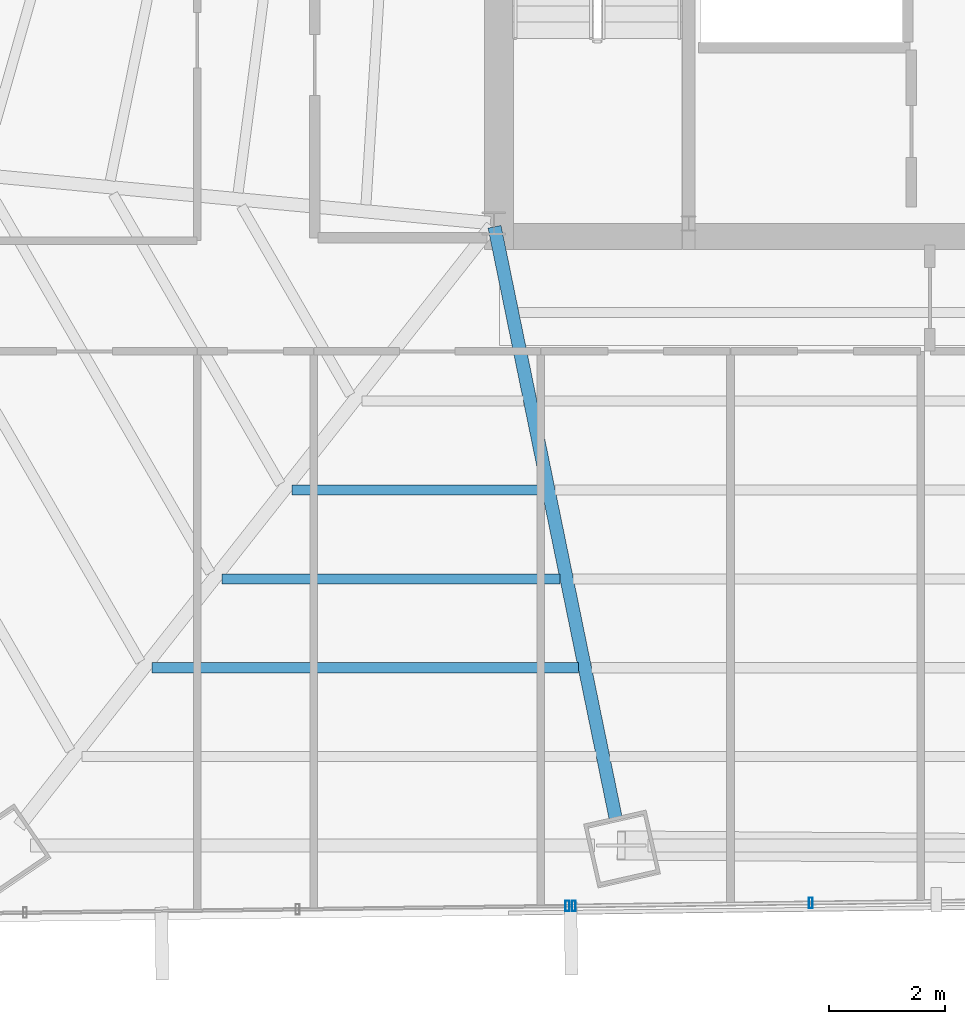
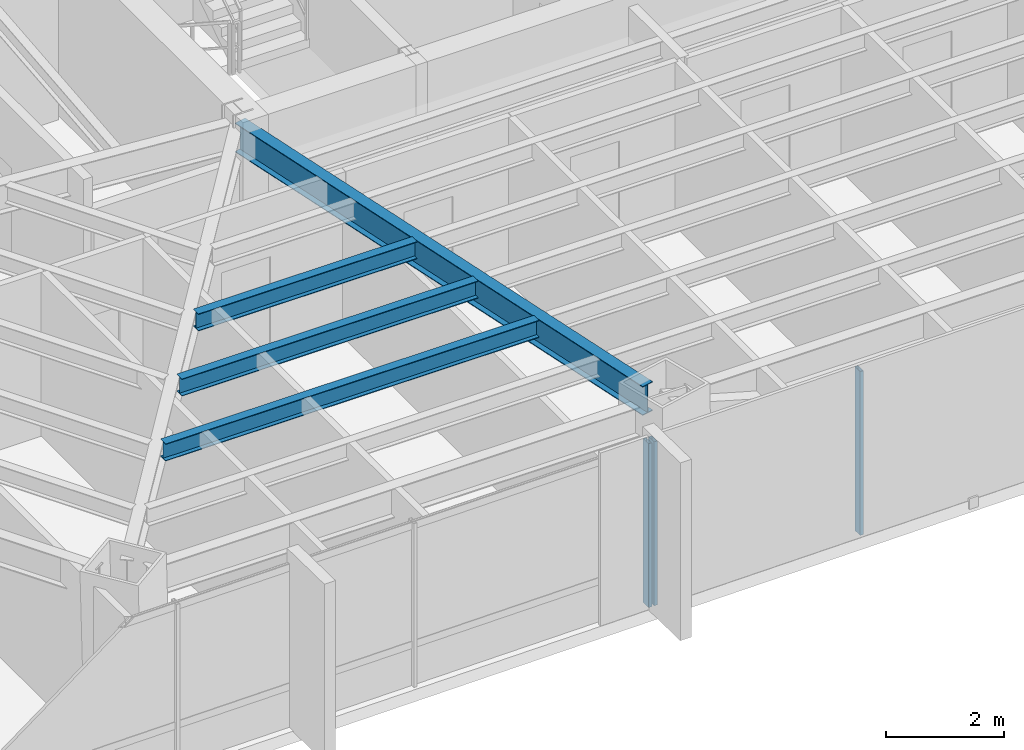
# One storey, part 9 of 37: 4 beams, 3 members, 2 elements without a shape of their own.
"""IFC4 building model written with IfcOpenShell, lengths in metres."""

from ifc_helpers import new_model, si_unit, direction, frame, origin, origin_2d, place, context, subcontext, project, spatial, hollow_rectangle, i_section, extrude, source, transform, mapped, material, material_profile, profile_set, type_object, type_shapes, element, aggregate, save


model = new_model("IFC4")

# Units and contexts
model_context = context("Model", 3, precision=1e-05, world=origin(), true_north=direction((0.0, 1.0)))
body_context = subcontext(model_context, "Body", "Model", "MODEL_VIEW")
ifc_project = project(units=[si_unit("LENGTHUNIT", "METRE"), si_unit("AREAUNIT", "SQUARE_METRE"), si_unit("VOLUMEUNIT", "CUBIC_METRE"), si_unit("PLANEANGLEUNIT", "RADIAN"), si_unit("MASSUNIT", "GRAM", prefix="KILO")], contexts=[model_context])

# Site, building, storey
site_placement = place(None, origin())
site = spatial("IfcSite", under=ifc_project, at=site_placement, CompositionType="ELEMENT")
building_placement = place(site_placement, origin())
building = spatial("IfcBuilding", under=site, at=building_placement, Name="Caelisora Broadcast Tower", CompositionType="ELEMENT")
storey_placement = place(building_placement, frame((0.0, 0.0, 120.0)))
storey = spatial("IfcBuildingStorey", under=building, at=storey_placement, Name="L31", CompositionType="ELEMENT", Elevation=120.0)

# Beams
ifc_material_1 = material(Name="Steel Grade 350 (AS/NZS 3679.1)", Category="steel")
ifc_material_profile_1 = material_profile(ifc_material_1, i_section(OverallWidth=0.22802734375, OverallDepth=0.602294921875, WebThickness=0.010498046875, FlangeThickness=0.014892578125, at=origin_2d()), Name="Steel Grade 350 (AS/NZS 3679.1)")
ifc_profile_set_1 = profile_set([ifc_material_profile_1], Name="Steel Grade 350 (AS/NZS 3679.1)")
beam_type_1 = type_object("IfcBeamType", Name="PG04", PredefinedType="BEAM", material=ifc_profile_set_1)
shared_shape_1 = source(origin(), body_context, "Body", "SweptSolid", [
    extrude(i_section(OverallWidth=0.22802734375, OverallDepth=0.602294921875, WebThickness=0.010498046875, FlangeThickness=0.014892578125, at=origin_2d()), origin(), (0.0, 0.0, 1.0), 10.439697265625),
])
type_shapes(beam_type_1, [shared_shape_1])
beam_1_placement = place(storey_placement, frame((30.511962890625, 17.34130859375, 3.098876953125), z_axis=(0.200674261531, -0.979658022352, 0.0), x_axis=(0.979658022352, 0.200674261531, 0.0)))
element("IfcBeam", 1, at=beam_1_placement, inside=storey, type_object=beam_type_1, Name="L31 beam PG04", PredefinedType="BEAM", context=body_context, shape_type="MappedRepresentation", body=[
    mapped(shared_shape_1, transform((0.0, 0.0, 0.0), scale=1.0)),
])
ifc_material_profile_2 = material_profile(ifc_material_1, i_section(OverallWidth=0.172119140625, OverallDepth=0.358642578125, WebThickness=0.008056640625, FlangeThickness=0.012939453125, at=origin_2d()), Name="Steel Grade 350 (AS/NZS 3679.1)")
ifc_profile_set_2 = profile_set([ifc_material_profile_2], Name="Steel Grade 350 (AS/NZS 3679.1)")
beam_type_2 = type_object("IfcBeamType", Name="SB02", PredefinedType="JOIST", material=ifc_profile_set_2)
shared_shape_2 = source(origin(), body_context, "Body", "SweptSolid", [
    extrude(i_section(OverallWidth=0.172119140625, OverallDepth=0.358642578125, WebThickness=0.008056640625, FlangeThickness=0.012939453125, at=origin_2d()), origin(), (0.0, 0.0, 1.0), 4.294677734375),
])
beam_2_placement = place(storey_placement, frame((27.031005859375, 12.8154296875, 3.220703125), z_axis=(1.0, 0.0, 0.0), x_axis=(0.0, 1.0, 0.0)))
element("IfcBeam", 2, at=beam_2_placement, inside=storey, type_object=beam_type_2, Name="L31 beam SB02", PredefinedType="JOIST", context=body_context, shape_type="MappedRepresentation", body=[
    mapped(shared_shape_2, transform((0.0, 0.0, 0.0), scale=1.0)),
])
shared_shape_3 = source(origin(), body_context, "Body", "SweptSolid", [
    extrude(i_section(OverallWidth=0.172119140625, OverallDepth=0.358642578125, WebThickness=0.008056640625, FlangeThickness=0.012939453125, at=origin_2d()), origin(), (0.0, 0.0, 1.0), 5.811767578125),
])
beam_3_placement = place(storey_placement, frame((25.8271484375, 11.287109375, 3.220703125), z_axis=(1.0, 0.0, 0.0), x_axis=(0.0, 1.0, 0.0)))
element("IfcBeam", 3, at=beam_3_placement, inside=storey, type_object=beam_type_2, Name="L31 beam SB02", PredefinedType="JOIST", context=body_context, shape_type="MappedRepresentation", body=[
    mapped(shared_shape_3, transform((0.0, 0.0, 0.0), scale=1.0)),
])
shared_shape_4 = source(origin(), body_context, "Body", "SweptSolid", [
    extrude(i_section(OverallWidth=0.172119140625, OverallDepth=0.358642578125, WebThickness=0.008056640625, FlangeThickness=0.012939453125, at=origin_2d()), origin(), (0.0, 0.0, 1.0), 7.328369140625),
])
type_shapes(beam_type_2, [shared_shape_2, shared_shape_3, shared_shape_4])
beam_4_placement = place(storey_placement, frame((24.62353515625, 9.7587890625, 3.220703125), z_axis=(1.0, 0.0, 0.0), x_axis=(0.0, 1.0, 0.0)))
element("IfcBeam", 4, at=beam_4_placement, inside=storey, type_object=beam_type_2, Name="L31 beam SB02", PredefinedType="JOIST", context=body_context, shape_type="MappedRepresentation", body=[
    mapped(shared_shape_4, transform((0.0, 0.0, 0.0), scale=1.0)),
])

# Curtain wall, members
ifc_material_2 = material(Name="Unitised Aluminium Insulated Shadow-Box Spandrel Curtain Wall", Category="aluminium")
curtain_wall_type_1 = type_object("IfcCurtainWallType", Name="CW-SP1", PredefinedType="NOTDEFINED", material=ifc_material_2)
curtain_wall_1_placement = place(storey_placement, origin())
curtain_wall_1 = element("IfcCurtainWall", 5, at=curtain_wall_1_placement, inside=storey, type_object=curtain_wall_type_1, Name="L31 curtain wall CW-SP1", PredefinedType="NOTDEFINED")
ifc_material_3 = material(Name="Aluminium 6063-T6 Anodised Terracotta Bronze", Category="aluminium")
ifc_material_profile_3 = material_profile(ifc_material_3, hollow_rectangle(XDim=0.06494140625, YDim=0.179931640625, WallThickness=0.00341796875, at=origin_2d()), Name="Aluminium 6063-T6 Anodised Terracotta Bronze")
ifc_profile_set_3 = profile_set([ifc_material_profile_3], Name="Aluminium 6063-T6 Anodised Terracotta Bronze")
member_type = type_object("IfcMemberType", Name="CWM-02", PredefinedType="MULLION", material=ifc_profile_set_3)
shared_shape_5 = source(origin(), body_context, "Body", "SweptSolid", [
    extrude(hollow_rectangle(XDim=0.06494140625, YDim=0.179931640625, WallThickness=0.00341796875, at=origin_2d()), origin(), (0.0, 0.0, 1.0), 3.39990234375),
])
type_shapes(member_type, [shared_shape_5])
member_1_placement = place(storey_placement, frame((35.948974609375, 5.714599609375, 0.0), z_axis=(0.0, 0.0, 1.0), x_axis=(1.0, 0.0, 0.0)))
member_1 = element("IfcMember", 6, at=member_1_placement, type_object=member_type, Name="L31-CW-B06 mullion #2", PredefinedType="MULLION", context=body_context, shape_type="MappedRepresentation", body=[
    mapped(shared_shape_5, transform((0.0, 0.0, 0.0), scale=1.0)),
])
member_2_placement = place(storey_placement, frame((31.874755859375, 5.663818359375, 0.0), z_axis=(0.0, 0.0, 1.0), x_axis=(1.0, 0.0, 0.0)))
member_2 = element("IfcMember", 7, at=member_2_placement, type_object=member_type, Name="L31-CW-B06 mullion #3", PredefinedType="MULLION", context=body_context, shape_type="MappedRepresentation", body=[
    mapped(shared_shape_5, transform((0.0, 0.0, 0.0), scale=1.0)),
])
aggregate(curtain_wall_1, [member_1, member_2])

# Curtain wall, member
ifc_material_4 = material(Name="Unitised Aluminium and Low-E Glass Curtain Wall", Category="glass")
curtain_wall_type_2 = type_object("IfcCurtainWallType", Name="CW-Z2", PredefinedType="NOTDEFINED", material=ifc_material_4)
curtain_wall_2_placement = place(storey_placement, origin())
curtain_wall_2 = element("IfcCurtainWall", 8, at=curtain_wall_2_placement, inside=storey, type_object=curtain_wall_type_2, Name="L31 curtain wall CW-Z2", PredefinedType="NOTDEFINED")
member_3_placement = place(storey_placement, frame((31.7646484375, 5.66259765625, 0.0), z_axis=(0.0, 0.0, 1.0), x_axis=(1.0, 0.0, 0.0)))
member_3 = element("IfcMember", 9, at=member_3_placement, type_object=member_type, Name="L31-CW-B07 mullion #0", PredefinedType="MULLION", context=body_context, shape_type="MappedRepresentation", body=[
    mapped(shared_shape_5, transform((0.0, 0.0, 0.0), scale=1.0)),
])
aggregate(curtain_wall_2, [member_3])

save(model, "model.ifc")
